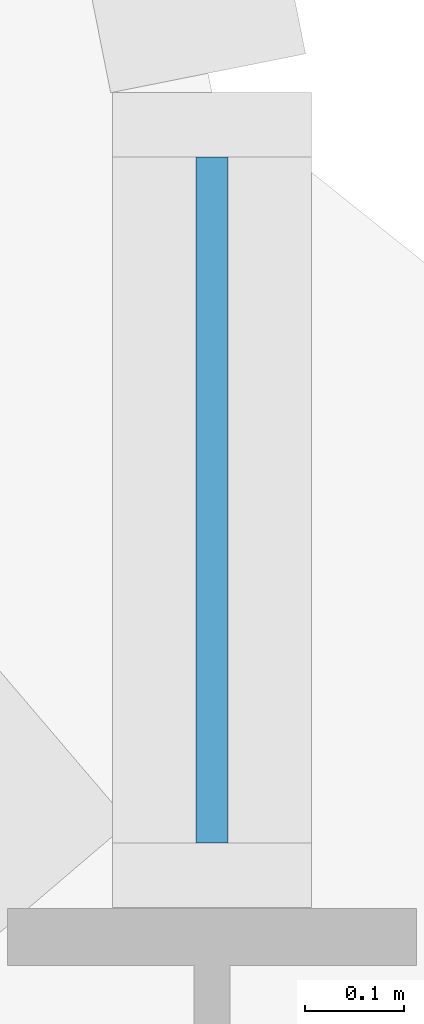
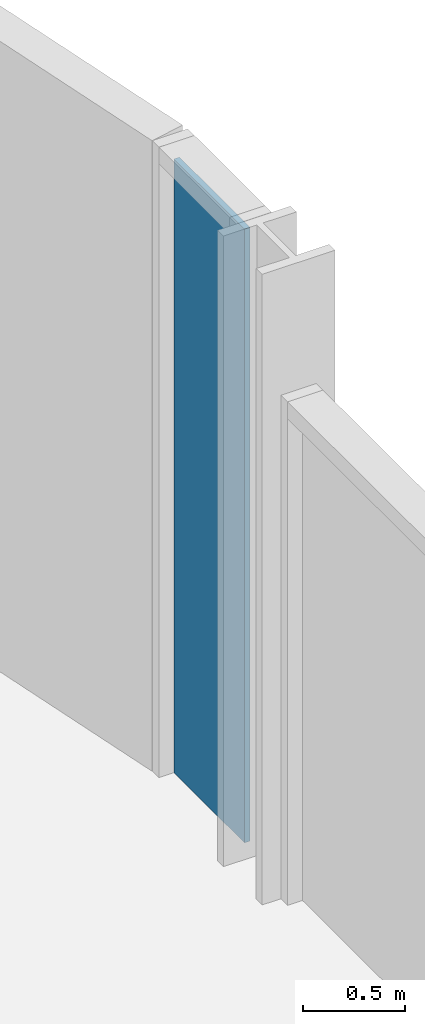
# One storey, part 12 of 29: 1 plate, 1 element without a shape of its own.
"""IFC4 building model written with IfcOpenShell, lengths in metres."""

from ifc_helpers import new_model, si_unit, direction, frame, origin, origin_2d, place, context, subcontext, project, spatial, rectangle, extrude, material, layer, layer_set, type_object, element, aggregate, save


model = new_model("IFC4")

# Units and contexts
model_context = context("Model", 3, precision=1e-05, world=origin(), true_north=direction((0.0, 1.0)))
body_context = subcontext(model_context, "Body", "Model", "MODEL_VIEW")
ifc_project = project(units=[si_unit("LENGTHUNIT", "METRE"), si_unit("AREAUNIT", "SQUARE_METRE"), si_unit("VOLUMEUNIT", "CUBIC_METRE"), si_unit("PLANEANGLEUNIT", "RADIAN"), si_unit("MASSUNIT", "GRAM", prefix="KILO")], contexts=[model_context])

# Site, building, storey
site_placement = place(None, origin())
site = spatial("IfcSite", under=ifc_project, at=site_placement, CompositionType="ELEMENT")
building_placement = place(site_placement, origin())
building = spatial("IfcBuilding", under=site, at=building_placement, Name="Mahtab Terrace Research Tower", CompositionType="ELEMENT")
storey_placement = place(building_placement, frame((0.0, 0.0, 126.10009765625)))
storey = spatial("IfcBuildingStorey", under=building, at=storey_placement, Name="L29", CompositionType="ELEMENT", Elevation=126.10009765625)

# Curtain wall, plate
ifc_material_1 = material(Name="Laboratory ribbon curtain wall")
curtain_wall_type = type_object("IfcCurtainWallType", Name="Laboratory ribbon curtain wall", PredefinedType="NOTDEFINED", material=ifc_material_1)
curtain_wall_placement = place(storey_placement, origin())
curtain_wall = element("IfcCurtainWall", 1, at=curtain_wall_placement, inside=storey, type_object=curtain_wall_type, Name="EN.L29.18.39", PredefinedType="NOTDEFINED")
ifc_material_2 = material(Name="Dark glazing", Category="glass")
ifc_layer = layer(ifc_material_2, 0.031982421875)
ifc_layer_set = layer_set([ifc_layer], Name="Laboratory ribbon curtain wall glazing panel")
plate_type = type_object("IfcPlateType", Name="Laboratory ribbon curtain wall glazing panel", PredefinedType="CURTAIN_PANEL", material=ifc_layer_set)
plate_placement = place(storey_placement, frame((48.0, 22.590087890625, 0.0), z_axis=(0.0, 0.0, 1.0), x_axis=(0.0, 1.0, 0.0)))
plate = element("IfcPlate", 2, at=plate_placement, type_object=plate_type, Name="CWL-4 panel 1", PredefinedType="CURTAIN_PANEL", context=body_context, shape_type="SweptSolid", body=[
    extrude(rectangle(XDim=0.68994140625, YDim=0.031982421875, at=origin_2d()), origin(), (0.0, 0.0, 1.0), 3.659912109375),
])
aggregate(curtain_wall, [plate])

save(model, "model.ifc")
